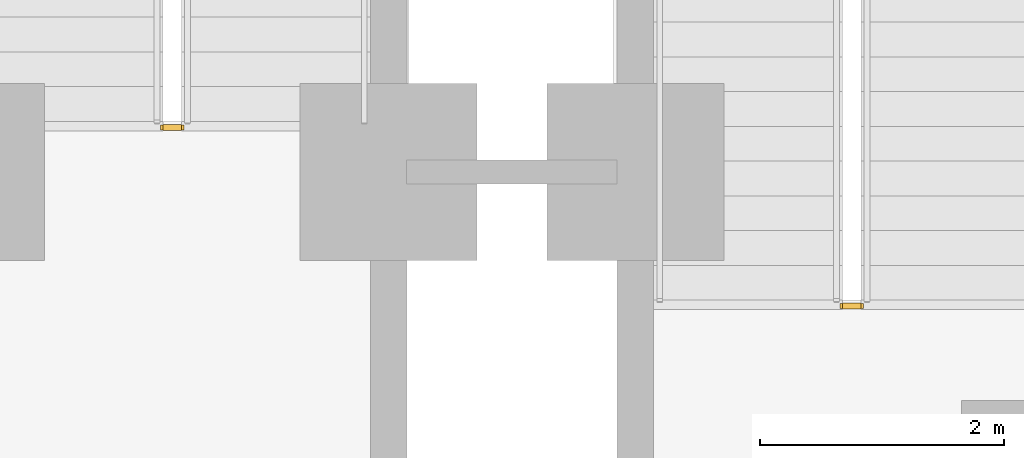
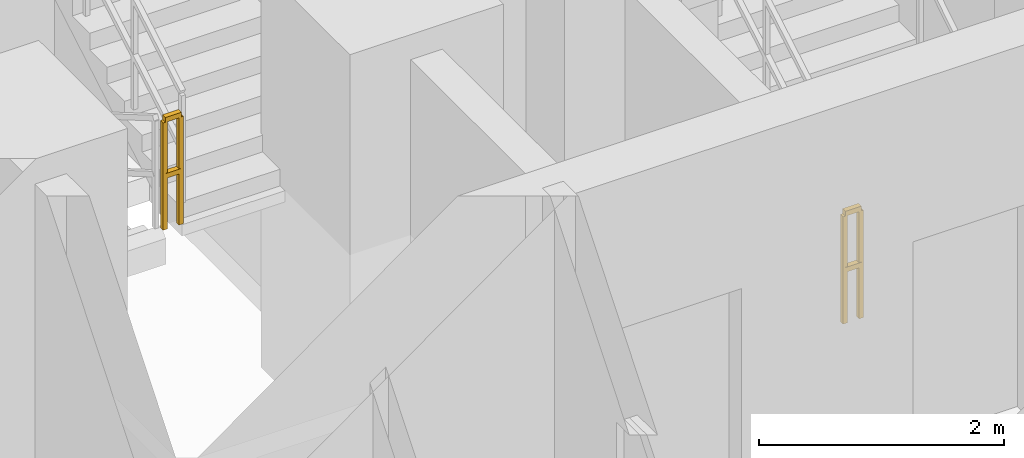
# One storey, part 10 of 13: 2 railings.
"""IFC4 building model written with IfcOpenShell, lengths in metres."""

from ifc_helpers import new_model, si_unit, direction, frame, origin, origin_2d, place, context, subcontext, project, spatial, rectangle, extrude, material, type_object, element, save


model = new_model("IFC4")

# Units and contexts
model_context = context("Model", 3, precision=1e-05, world=origin(), true_north=direction((0.0, 1.0)))
body_context = subcontext(model_context, "Body", "Model", "MODEL_VIEW")
ifc_project = project(units=[si_unit("LENGTHUNIT", "METRE"), si_unit("AREAUNIT", "SQUARE_METRE"), si_unit("VOLUMEUNIT", "CUBIC_METRE"), si_unit("PLANEANGLEUNIT", "RADIAN"), si_unit("MASSUNIT", "GRAM", prefix="KILO")], contexts=[model_context])

# Site, building, storey
site_placement = place(None, origin())
site = spatial("IfcSite", under=ifc_project, at=site_placement, CompositionType="ELEMENT")
building_placement = place(site_placement, origin())
building = spatial("IfcBuilding", under=site, at=building_placement, Name="Apsidion Concourse Tower", CompositionType="ELEMENT")
storey_placement = place(building_placement, frame((0.0, 0.0, 67.0)))
storey = spatial("IfcBuildingStorey", under=building, at=storey_placement, Name="L14", CompositionType="ELEMENT", Elevation=67.0)

# Railings
ifc_material = material(Name="Brushed stainless steel 316", Category="steel")
railing_type = type_object("IfcRailingType", Name="RL-GUARD-1100", PredefinedType="GUARDRAIL", material=ifc_material)
railing_1_placement = place(storey_placement, frame((5.64990234375, 2.949951171875, 0.0)))
element("IfcRailing", 1, at=railing_1_placement, inside=storey, type_object=railing_type, Name="L14 ST2 stair guard 4", PredefinedType="GUARDRAIL", context=body_context, shape_type="SweptSolid", body=[
    extrude(rectangle(XDim=0.048095703125, YDim=0.048095703125, at=origin_2d()), frame((0.0, 0.0, 1.09619140625), z_axis=(-1.0, 0.0, 0.0), x_axis=(0.0, -1.0, 0.0)), (0.0, 0.0, 1.0), 0.14990234375),
    extrude(rectangle(XDim=0.048095703125, YDim=0.048095703125, at=origin_2d()), frame((0.0, 0.0, 0.5361328125), z_axis=(-1.0, 0.0, 0.0), x_axis=(0.0, -1.0, 0.0)), (0.0, 0.0, 1.0), 0.14990234375),
    extrude(rectangle(XDim=0.0419921875, YDim=0.0419921875, at=origin_2d()), origin(), (0.0, 0.0, 1.0), 1.072021484375),
    extrude(rectangle(XDim=0.0419921875, YDim=0.0419921875, at=origin_2d()), frame((-0.14990234375, 0.0, 0.0)), (0.0, 0.0, 1.0), 1.072021484375),
])
railing_2_placement = place(storey_placement, frame((-0.074951171875, 4.4150390625, 2.0)))
element("IfcRailing", 2, at=railing_2_placement, inside=storey, type_object=railing_type, Name="L14 ST3 stair guard 2", PredefinedType="GUARDRAIL", context=body_context, shape_type="SweptSolid", body=[
    extrude(rectangle(XDim=0.048095703125, YDim=0.048095703125, at=origin_2d()), frame((0.0, 0.0, 1.09619140625), z_axis=(1.0, 0.0, 0.0), x_axis=(0.0, 1.0, 0.0)), (0.0, 0.0, 1.0), 0.14990234375),
    extrude(rectangle(XDim=0.048095703125, YDim=0.048095703125, at=origin_2d()), frame((0.0, 0.0, 0.5361328125), z_axis=(1.0, 0.0, 0.0), x_axis=(0.0, 1.0, 0.0)), (0.0, 0.0, 1.0), 0.14990234375),
    extrude(rectangle(XDim=0.0419921875, YDim=0.0419921875, at=origin_2d()), origin(), (0.0, 0.0, 1.0), 1.072021484375),
    extrude(rectangle(XDim=0.0419921875, YDim=0.0419921875, at=origin_2d()), frame((0.14990234375, 0.0, 0.0)), (0.0, 0.0, 1.0), 1.072021484375),
])

save(model, "model.ifc")
